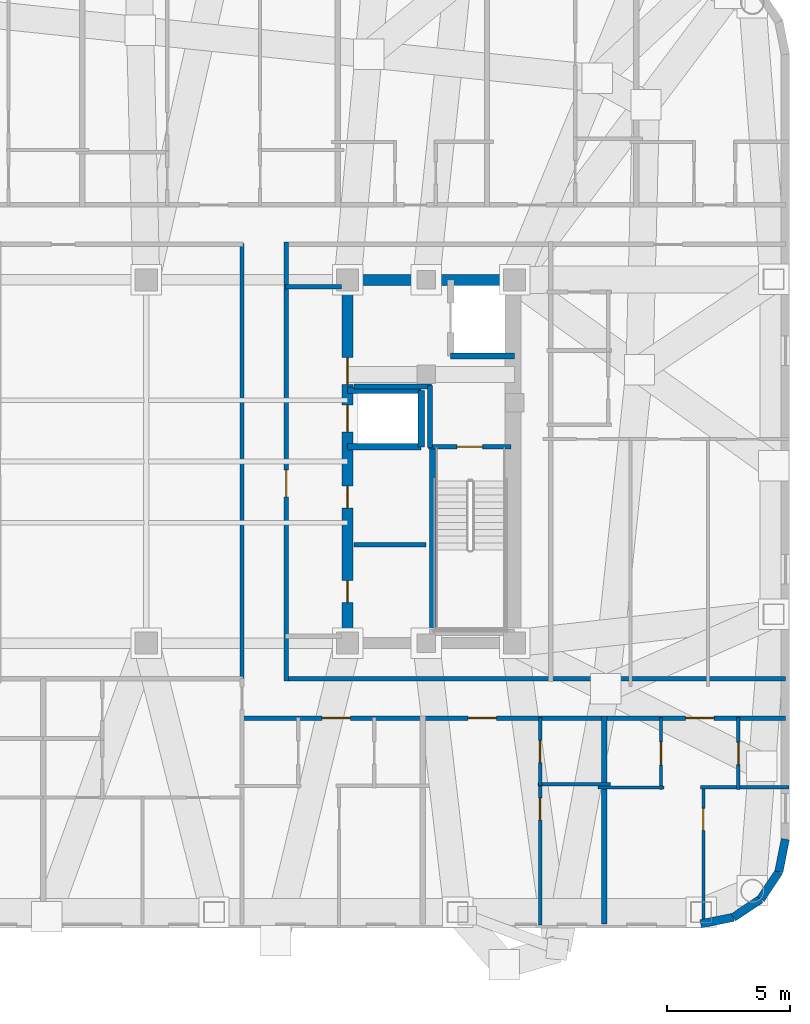
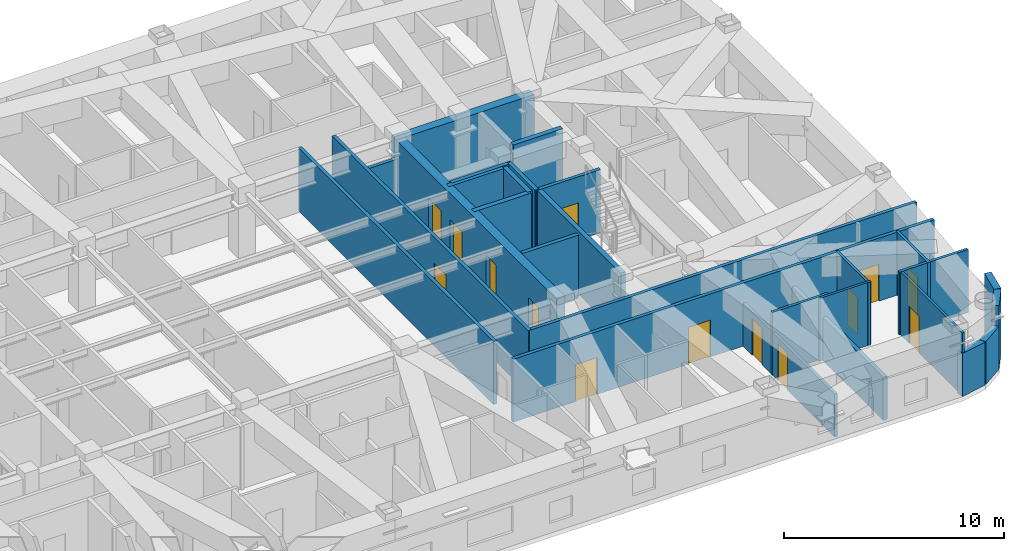
# One storey, part 7 of 12: 29 walls, 14 doors, 14 openings.
"""IFC4 building model written with IfcOpenShell, lengths in metres."""

from ifc_helpers import new_model, si_unit, direction, frame, frame_2d, origin, place, context, subcontext, project, spatial, rectangle, extrude, material, layer, layer_set, type_object, element, fill, save


model = new_model("IFC4")

# Units and contexts
model_context = context("Model", 3, precision=1e-05, world=origin(), true_north=direction((0.0, 1.0)))
body_context = subcontext(model_context, "Body", "Model", "MODEL_VIEW")
ifc_project = project(units=[si_unit("LENGTHUNIT", "METRE"), si_unit("AREAUNIT", "SQUARE_METRE"), si_unit("VOLUMEUNIT", "CUBIC_METRE"), si_unit("PLANEANGLEUNIT", "RADIAN"), si_unit("MASSUNIT", "GRAM", prefix="KILO")], contexts=[model_context])

# Site, building, storey
site_placement = place(None, origin())
site = spatial("IfcSite", under=ifc_project, at=site_placement, CompositionType="ELEMENT")
building_placement = place(site_placement, origin())
building = spatial("IfcBuilding", under=site, at=building_placement, Name="Voryun Gate Residences", CompositionType="ELEMENT")
storey_placement = place(building_placement, frame((0.0, 0.0, 250.89990234375)))
storey = spatial("IfcBuildingStorey", under=building, at=storey_placement, Name="L62", CompositionType="ELEMENT", Elevation=250.89990234375)

# Wall
ifc_material_1 = material(Name="Concrete C50/60", Category="concrete")
ifc_layer_1 = layer(ifc_material_1, 0.449951171875, Name="CW_CORE_450")
ifc_layer_set_1 = layer_set([ifc_layer_1], Name="Concrete C50/60")
wall_type_1 = type_object("IfcWallType", Name="CW_CORE_450", PredefinedType="SHEAR", material=ifc_layer_set_1)
wall_1_placement = place(storey_placement, frame((12.175048828125, 7.39990234375, 0.0), z_axis=(0.0, 0.0, 1.0), x_axis=(1.0, 0.0, 0.0)))
element("IfcWall", 1, at=wall_1_placement, inside=storey, type_object=wall_type_1, Name="L62 Core shear wall CW-L62-EN", PredefinedType="SHEAR", context=body_context, shape_type="SweptSolid", body=[
    extrude(rectangle(XDim=7.25, YDim=0.449951171875, at=frame_2d((3.625, 0.0))), origin(), (0.0, 0.0, 1.0), 3.5),
])

# Wall, openings, doors
wall_2_placement = place(storey_placement, frame((12.39990234375, -7.39990234375, 0.0), z_axis=(0.0, 0.0, 1.0), x_axis=(0.0, 1.0, 0.0)))
wall_2 = element("IfcWall", 2, at=wall_2_placement, inside=storey, type_object=wall_type_1, Name="L62 Core shear wall CW-L62-EW", PredefinedType="SHEAR", context=body_context, shape_type="SweptSolid", body=[
    extrude(rectangle(XDim=14.7998046875, YDim=0.449951171875, at=frame_2d((7.39990234375, 0.0))), origin(), (0.0, 0.0, 1.0), 3.5),
])
opening_1_placement = place(wall_2_placement, frame((8.60009765625, 0.0, 0.0)))
opening_1 = element("IfcOpeningElement", 3, at=opening_1_placement, cuts=wall_2, Name="Opening LD2", PredefinedType="OPENING", context=body_context, shape_type="SweptSolid", body=[
    extrude(rectangle(XDim=1.10009765625, YDim=2.050048828125, at=frame_2d((0.550048828125, 1.02490234375))), frame((0.0, 0.235107421875, 0.0), z_axis=(0.0, -1.0, 0.0), x_axis=(1.0, 0.0, 0.0)), (0.0, 0.0, 1.0), 0.469970703125),
])
opening_2_placement = place(wall_2_placement, frame((10.530029296875, 0.0, 0.0)))
opening_2 = element("IfcOpeningElement", 4, at=opening_2_placement, cuts=wall_2, Name="Opening D-FD60-2", PredefinedType="OPENING", context=body_context, shape_type="SweptSolid", body=[
    extrude(rectangle(XDim=1.10009765625, YDim=2.050048828125, at=frame_2d((0.550048828125, 1.02490234375))), frame((0.0, 0.235107421875, 0.0), z_axis=(0.0, -1.0, 0.0), x_axis=(1.0, 0.0, 0.0)), (0.0, 0.0, 1.0), 0.469970703125),
])
opening_3_placement = place(wall_2_placement, frame((1.64990234375, 0.0, 0.0)))
opening_3 = element("IfcOpeningElement", 5, at=opening_3_placement, cuts=wall_2, Name="Opening D-FD60-4", PredefinedType="OPENING", context=body_context, shape_type="SweptSolid", body=[
    extrude(rectangle(XDim=0.89990234375, YDim=2.050048828125, at=frame_2d((0.449951171875, 1.02490234375))), frame((0.0, 0.235107421875, 0.0), z_axis=(0.0, -1.0, 0.0), x_axis=(1.0, 0.0, 0.0)), (0.0, 0.0, 1.0), 0.469970703125),
])
opening_4_placement = place(wall_2_placement, frame((5.5, 0.0, 0.0)))
opening_4 = element("IfcOpeningElement", 6, at=opening_4_placement, cuts=wall_2, Name="Opening D-FD60-4", PredefinedType="OPENING", context=body_context, shape_type="SweptSolid", body=[
    extrude(rectangle(XDim=0.89990234375, YDim=2.050048828125, at=frame_2d((0.449951171875, 1.02490234375))), frame((0.0, 0.235107421875, 0.0), z_axis=(0.0, -1.0, 0.0), x_axis=(1.0, 0.0, 0.0)), (0.0, 0.0, 1.0), 0.469970703125),
])
ifc_material_2 = material(Name="Painted steel fire door", Category="steel")
door_type_1 = type_object("IfcDoorType", Name="DR_FD60_FFLOB_1100", OperationType="NOTDEFINED", PredefinedType="DOOR", material=ifc_material_2)
door_1_placement = place(opening_2_placement, origin())
door_1 = element("IfcDoor", 7, at=door_1_placement, inside=storey, type_object=door_type_1, Name="Door DR-L62-CLOB-E", OperationType="SINGLE_SWING_RIGHT", OverallHeight=2.050048828125, OverallWidth=1.10009765625, PredefinedType="DOOR", context=body_context, shape_type="SweptSolid", body=[
    extrude(rectangle(XDim=1.10009765625, YDim=2.050048828125, at=frame_2d((0.550048828125, 1.02490234375))), frame((0.0, 0.02490234375, 0.0), z_axis=(0.0, -1.0, 0.0), x_axis=(1.0, 0.0, 0.0)), (0.0, 0.0, 1.0), 0.050048828125),
])
fill(opening_2, door_1)
ifc_material_3 = material(Name="Painted steel fire door", Category="steel")
door_type_2 = type_object("IfcDoorType", Name="DR_FD60_RISER_900", OperationType="NOTDEFINED", PredefinedType="DOOR", material=ifc_material_3)
door_2_placement = place(opening_3_placement, origin())
door_2 = element("IfcDoor", 8, at=door_2_placement, inside=storey, type_object=door_type_2, Name="Door DR-L62-RECE-HIS", OperationType="SINGLE_SWING_RIGHT", OverallHeight=2.050048828125, OverallWidth=0.89990234375, PredefinedType="DOOR", context=body_context, shape_type="SweptSolid", body=[
    extrude(rectangle(XDim=0.89990234375, YDim=2.050048828125, at=frame_2d((0.449951171875, 1.02490234375))), frame((0.0, 0.02490234375, 0.0), z_axis=(0.0, -1.0, 0.0), x_axis=(1.0, 0.0, 0.0)), (0.0, 0.0, 1.0), 0.050048828125),
])
fill(opening_3, door_2)
door_3_placement = place(opening_4_placement, origin())
door_3 = element("IfcDoor", 9, at=door_3_placement, inside=storey, type_object=door_type_2, Name="Door DR-L62-RECE-HIN", OperationType="SINGLE_SWING_LEFT", OverallHeight=2.050048828125, OverallWidth=0.89990234375, PredefinedType="DOOR", context=body_context, shape_type="SweptSolid", body=[
    extrude(rectangle(XDim=0.89990234375, YDim=2.050048828125, at=frame_2d((0.449951171875, 1.02490234375))), frame((0.0, 0.02490234375, 0.0), z_axis=(0.0, -1.0, 0.0), x_axis=(1.0, 0.0, 0.0)), (0.0, 0.0, 1.0), 0.050048828125),
])
fill(opening_4, door_3)
ifc_material_4 = material(Name="Anodised aluminium", Category="aluminium")
door_type_3 = type_object("IfcDoorType", Name="DR_LD_PASS_1100", OperationType="NOTDEFINED", PredefinedType="DOOR", material=ifc_material_4)
door_4_placement = place(opening_1_placement, origin())
door_4 = element("IfcDoor", 10, at=door_4_placement, inside=storey, type_object=door_type_3, Name="Lift EL-P8 sliding landing door L62", OperationType="SLIDING_TO_LEFT", OverallHeight=2.050048828125, OverallWidth=1.10009765625, PredefinedType="DOOR", context=body_context, shape_type="SweptSolid", body=[
    extrude(rectangle(XDim=1.10009765625, YDim=2.050048828125, at=frame_2d((0.550048828125, 1.02490234375))), frame((0.0, 0.02490234375, 0.0), z_axis=(0.0, -1.0, 0.0), x_axis=(1.0, 0.0, 0.0)), (0.0, 0.0, 1.0), 0.050048828125),
])
fill(opening_1, door_4)

# Wall, opening, door
ifc_material_5 = material(Name="Gypsum acoustic fireboard")
ifc_layer_2 = layer(ifc_material_5, 0.179931640625, Name="W_CORR_RATED_180")
ifc_layer_set_2 = layer_set([ifc_layer_2], Name="Gypsum acoustic fireboard")
wall_type_2 = type_object("IfcWallType", Name="W_CORR_RATED_180", PredefinedType="PARTITIONING", material=ifc_layer_set_2)
wall_3_placement = place(storey_placement, frame((15.699951171875, 0.60009765625, 0.0), z_axis=(0.0, 0.0, 1.0), x_axis=(1.0, 0.0, 0.0)))
wall_3 = element("IfcWall", 11, at=wall_3_placement, inside=storey, type_object=wall_type_2, Name="Partition wall WP-L62-STV-E", PredefinedType="PARTITIONING", context=body_context, shape_type="SweptSolid", body=[
    extrude(rectangle(XDim=3.360107421875, YDim=0.179931640625, at=frame_2d((1.68017578125, 0.0))), origin(), (0.0, 0.0, 1.0), 3.5),
])
opening_5_placement = place(wall_3_placement, frame((1.155029296875, 0.0, 0.0)))
opening_5 = element("IfcOpeningElement", 12, at=opening_5_placement, cuts=wall_3, Name="Opening D-FD60-1", PredefinedType="OPENING", context=body_context, shape_type="SweptSolid", body=[
    extrude(rectangle(XDim=1.050048828125, YDim=2.050048828125, at=frame_2d((0.52490234375, 1.02490234375))), frame((0.0, 0.099853515625, 0.0), z_axis=(0.0, -1.0, 0.0), x_axis=(1.0, 0.0, 0.0)), (0.0, 0.0, 1.0), 0.199951171875),
])
ifc_material_6 = material(Name="Painted steel fire door", Category="steel")
door_type_4 = type_object("IfcDoorType", Name="DR_FD60_STAIR_1050", OperationType="NOTDEFINED", PredefinedType="DOOR", material=ifc_material_6)
door_5_placement = place(opening_5_placement, origin())
door_5 = element("IfcDoor", 13, at=door_5_placement, inside=storey, type_object=door_type_4, Name="Door DR-L62-ST-E", OperationType="SINGLE_SWING_RIGHT", OverallHeight=2.050048828125, OverallWidth=1.050048828125, PredefinedType="DOOR", context=body_context, shape_type="SweptSolid", body=[
    extrude(rectangle(XDim=1.050048828125, YDim=2.050048828125, at=frame_2d((0.52490234375, 1.02490234375))), frame((0.0, 0.02490234375, 0.0), z_axis=(0.0, -1.0, 0.0), x_axis=(1.0, 0.0, 0.0)), (0.0, 0.0, 1.0), 0.050048828125),
])
fill(opening_5, door_5)

# Wall
wall_4_placement = place(storey_placement, frame((9.8798828125, 7.1201171875, 0.0), z_axis=(0.0, 0.0, 1.0), x_axis=(1.0, 0.0, 0.0)))
element("IfcWall", 14, at=wall_4_placement, inside=storey, type_object=wall_type_2, Name="Partition wall WP-L62-PLBN-E", PredefinedType="PARTITIONING", context=body_context, shape_type="SweptSolid", body=[
    extrude(rectangle(XDim=2.27001953125, YDim=0.179931640625, at=frame_2d((1.135009765625, 0.0))), origin(), (0.0, 0.0, 1.0), 2.5400390625),
])

# Wall, opening, door
wall_5_placement = place(storey_placement, frame((9.89990234375, -8.929931640625, 0.0), z_axis=(0.0, 0.0, 1.0), x_axis=(0.0, 1.0, 0.0)))
wall_5 = element("IfcWall", 15, at=wall_5_placement, inside=storey, type_object=wall_type_2, Name="Partition wall WP-L62-PLBE-FULL", PredefinedType="PARTITIONING", context=body_context, shape_type="SweptSolid", body=[
    extrude(rectangle(XDim=17.85986328125, YDim=0.179931640625, at=frame_2d((8.929931640625, 0.0))), origin(), (0.0, 0.0, 1.0), 3.5),
])
opening_6_placement = place(wall_5_placement, frame((7.487060546875, 0.0, 0.0)))
opening_6 = element("IfcOpeningElement", 16, at=opening_6_placement, cuts=wall_5, Name="Opening D-FD60-2", PredefinedType="OPENING", context=body_context, shape_type="SweptSolid", body=[
    extrude(rectangle(XDim=1.10009765625, YDim=2.050048828125, at=frame_2d((0.550048828125, 1.02490234375))), frame((0.0, 0.099853515625, 0.0), z_axis=(0.0, -1.0, 0.0), x_axis=(1.0, 0.0, 0.0)), (0.0, 0.0, 1.0), 0.199951171875),
])
door_6_placement = place(opening_6_placement, origin())
door_6 = element("IfcDoor", 17, at=door_6_placement, inside=storey, type_object=door_type_1, Name="Door DR-L62-PLBE-COR", OperationType="SINGLE_SWING_RIGHT", OverallHeight=2.050048828125, OverallWidth=1.10009765625, PredefinedType="DOOR", context=body_context, shape_type="SweptSolid", body=[
    extrude(rectangle(XDim=1.10009765625, YDim=2.050048828125, at=frame_2d((0.550048828125, 1.02490234375))), frame((0.0, 0.02490234375, 0.0), z_axis=(0.0, -1.0, 0.0), x_axis=(1.0, 0.0, 0.0)), (0.0, 0.0, 1.0), 0.050048828125),
])
fill(opening_6, door_6)

# Walls
wall_6_placement = place(storey_placement, frame((9.8798828125, -8.840087890625, 0.0), z_axis=(0.0, 0.0, 1.0), x_axis=(1.0, 0.0, 0.0)))
element("IfcWall", 18, at=wall_6_placement, inside=storey, type_object=wall_type_2, Name="Partition wall WP-L62-CWING-ES", PredefinedType="PARTITIONING", context=body_context, shape_type="SweptSolid", body=[
    extrude(rectangle(XDim=20.35009765625, YDim=0.179931640625, at=frame_2d((10.175048828125, 0.0))), origin(), (0.0, 0.0, 1.0), 3.5),
])
wall_7_placement = place(storey_placement, frame((8.10009765625, -8.8798828125, 0.0), z_axis=(0.0, 0.0, 1.0), x_axis=(0.0, 1.0, 0.0)))
element("IfcWall", 19, at=wall_7_placement, inside=storey, type_object=wall_type_2, Name="Partition wall WP-L62-Z3E", PredefinedType="PARTITIONING", context=body_context, shape_type="SweptSolid", body=[
    extrude(rectangle(XDim=17.759765625, YDim=0.179931640625, at=frame_2d((8.8798828125, 0.0))), origin(), (0.0, 0.0, 1.0), 3.5),
])

# Wall, openings, doors
wall_8_placement = place(storey_placement, frame((8.080078125, -10.449951171875, 0.0), z_axis=(0.0, 0.0, 1.0), x_axis=(1.0, 0.0, 0.0)))
wall_8 = element("IfcWall", 20, at=wall_8_placement, inside=storey, type_object=wall_type_2, Name="Partition wall WP-L62-SCORR-E", PredefinedType="PARTITIONING", context=body_context, shape_type="SweptSolid", body=[
    extrude(rectangle(XDim=22.14990234375, YDim=0.179931640625, at=frame_2d((11.074951171875, 0.0))), origin(), (0.0, 0.0, 1.0), 3.5),
])
opening_7_placement = place(wall_8_placement, frame((3.283447265625, 0.0, 0.0)))
opening_7 = element("IfcOpeningElement", 21, at=opening_7_placement, cuts=wall_8, Name="Opening D-UNIT-1", PredefinedType="OPENING", context=body_context, shape_type="SweptSolid", body=[
    extrude(rectangle(XDim=1.14990234375, YDim=2.050048828125, at=frame_2d((0.574951171875, 1.02490234375))), frame((0.0, 0.099853515625, 0.0), z_axis=(0.0, -1.0, 0.0), x_axis=(1.0, 0.0, 0.0)), (0.0, 0.0, 1.0), 0.199951171875),
])
opening_8_placement = place(wall_8_placement, frame((9.228515625, 0.0, 0.0)))
opening_8 = element("IfcOpeningElement", 22, at=opening_8_placement, cuts=wall_8, Name="Opening D-UNIT-1", PredefinedType="OPENING", context=body_context, shape_type="SweptSolid", body=[
    extrude(rectangle(XDim=1.14990234375, YDim=2.050048828125, at=frame_2d((0.574951171875, 1.02490234375))), frame((0.0, 0.099853515625, 0.0), z_axis=(0.0, -1.0, 0.0), x_axis=(1.0, 0.0, 0.0)), (0.0, 0.0, 1.0), 0.199951171875),
])
opening_9_placement = place(wall_8_placement, frame((18.084228515625, 0.0, 0.0)))
opening_9 = element("IfcOpeningElement", 23, at=opening_9_placement, cuts=wall_8, Name="Opening D-UNIT-1", PredefinedType="OPENING", context=body_context, shape_type="SweptSolid", body=[
    extrude(rectangle(XDim=1.14990234375, YDim=2.050048828125, at=frame_2d((0.574951171875, 1.02490234375))), frame((0.0, 0.099853515625, 0.0), z_axis=(0.0, -1.0, 0.0), x_axis=(1.0, 0.0, 0.0)), (0.0, 0.0, 1.0), 0.199951171875),
])
ifc_material_7 = material(Name="Armoured timber-clad fire door", Category="wood")
door_type_5 = type_object("IfcDoorType", Name="DR_UNIT_ENTRY_1150", OperationType="NOTDEFINED", PredefinedType="DOOR", material=ifc_material_7)
door_7_placement = place(opening_7_placement, origin())
door_7 = element("IfcDoor", 24, at=door_7_placement, inside=storey, type_object=door_type_5, Name="Door DR-L62-SENT-5", OperationType="SINGLE_SWING_RIGHT", OverallHeight=2.050048828125, OverallWidth=1.14990234375, PredefinedType="DOOR", context=body_context, shape_type="SweptSolid", body=[
    extrude(rectangle(XDim=1.14990234375, YDim=2.050048828125, at=frame_2d((0.574951171875, 1.02490234375))), frame((0.0, 0.02490234375, 0.0), z_axis=(0.0, -1.0, 0.0), x_axis=(1.0, 0.0, 0.0)), (0.0, 0.0, 1.0), 0.050048828125),
])
fill(opening_7, door_7)
door_8_placement = place(opening_8_placement, origin())
door_8 = element("IfcDoor", 25, at=door_8_placement, inside=storey, type_object=door_type_5, Name="Door DR-L62-SENT-6", OperationType="SINGLE_SWING_LEFT", OverallHeight=2.050048828125, OverallWidth=1.14990234375, PredefinedType="DOOR", context=body_context, shape_type="SweptSolid", body=[
    extrude(rectangle(XDim=1.14990234375, YDim=2.050048828125, at=frame_2d((0.574951171875, 1.02490234375))), frame((0.0, 0.02490234375, 0.0), z_axis=(0.0, -1.0, 0.0), x_axis=(1.0, 0.0, 0.0)), (0.0, 0.0, 1.0), 0.050048828125),
])
fill(opening_8, door_8)
door_9_placement = place(opening_9_placement, origin())
door_9 = element("IfcDoor", 26, at=door_9_placement, inside=storey, type_object=door_type_5, Name="Door DR-L62-SENT-7", OperationType="SINGLE_SWING_RIGHT", OverallHeight=2.050048828125, OverallWidth=1.14990234375, PredefinedType="DOOR", context=body_context, shape_type="SweptSolid", body=[
    extrude(rectangle(XDim=1.14990234375, YDim=2.050048828125, at=frame_2d((0.574951171875, 1.02490234375))), frame((0.0, 0.02490234375, 0.0), z_axis=(0.0, -1.0, 0.0), x_axis=(1.0, 0.0, 0.0)), (0.0, 0.0, 1.0), 0.050048828125),
])
fill(opening_9, door_9)

# Walls
ifc_material_8 = material(Name="Charcoal terracotta masonry", Category="masonry")
ifc_layer_3 = layer(ifc_material_8, 0.340087890625, Name="W_EXT_TERRACOTTA_340")
ifc_layer_set_3 = layer_set([ifc_layer_3], Name="Charcoal terracotta masonry")
wall_type_3 = type_object("IfcWallType", Name="W_EXT_TERRACOTTA_340", PredefinedType="ELEMENTEDWALL", material=ifc_layer_set_3)
wall_9_placement = place(storey_placement, frame((30.22998046875, -15.38330078125, 0.0), z_axis=(0.0, 0.0, 1.0), x_axis=(-0.195110379894, -0.98078129043, 0.0)))
element("IfcWall", 27, at=wall_9_placement, inside=storey, type_object=wall_type_3, Name="Exterior wall WEXT-L62-17", PredefinedType="ELEMENTEDWALL", context=body_context, shape_type="SweptSolid", body=[
    extrude(rectangle(XDim=1.35400390625, YDim=0.340087890625, at=frame_2d((0.677001953125, 0.0))), origin(), (0.0, 0.0, 1.0), 3.5),
])
wall_10_placement = place(storey_placement, frame((29.9658203125, -16.711181640625, 0.0), z_axis=(0.0, 0.0, 1.0), x_axis=(-0.555584683399, -0.831459956686, 0.0)))
element("IfcWall", 28, at=wall_10_placement, inside=storey, type_object=wall_type_3, Name="Exterior wall WEXT-L62-18", PredefinedType="ELEMENTEDWALL", context=body_context, shape_type="SweptSolid", body=[
    extrude(rectangle(XDim=1.337158203125, YDim=0.340087890625, at=frame_2d((0.66845703125, 0.0))), origin(), (0.0, 0.0, 1.0), 3.5),
])
wall_11_placement = place(storey_placement, frame((29.222900390625, -17.822998046875, 0.0), z_axis=(0.0, 0.0, 1.0), x_axis=(-0.831403586725, -0.555669034571, 0.0)))
element("IfcWall", 29, at=wall_11_placement, inside=storey, type_object=wall_type_3, Name="Exterior wall WEXT-L62-19", PredefinedType="ELEMENTEDWALL", context=body_context, shape_type="SweptSolid", body=[
    extrude(rectangle(XDim=1.3369140625, YDim=0.340087890625, at=frame_2d((0.66845703125, 0.0))), origin(), (0.0, 0.0, 1.0), 2.39013671875),
])
wall_12_placement = place(storey_placement, frame((28.111328125, -18.56591796875, 0.0), z_axis=(0.0, 0.0, 1.0), x_axis=(-0.980788153188, -0.195075878998, 0.0)))
element("IfcWall", 30, at=wall_12_placement, inside=storey, type_object=wall_type_3, Name="Exterior wall WEXT-L62-20", PredefinedType="ELEMENTEDWALL", context=body_context, shape_type="SweptSolid", body=[
    extrude(rectangle(XDim=1.354248046875, YDim=0.340087890625, at=frame_2d((0.67724609375, 0.0))), origin(), (0.0, 0.0, 1.0), 2.39013671875),
])
ifc_material_9 = material(Name="Concrete C40/50", Category="concrete")
ifc_layer_4 = layer(ifc_material_9, 0.199951171875, Name="W_FF_LOBBY_200")
ifc_layer_set_4 = layer_set([ifc_layer_4], Name="Concrete C40/50")
wall_type_4 = type_object("IfcWallType", Name="W_FF_LOBBY_200", PredefinedType="PARTITIONING", material=ifc_layer_set_4)
wall_13_placement = place(storey_placement, frame((15.760009765625, 0.580078125, 0.0), z_axis=(0.0, 0.0, 1.0), x_axis=(0.0, 1.0, 0.0)))
element("IfcWall", 31, at=wall_13_placement, inside=storey, type_object=wall_type_4, Name="Partition wall WP-L62-FFP0-E", PredefinedType="PARTITIONING", context=body_context, shape_type="SweptSolid", body=[
    extrude(rectangle(XDim=2.52001953125, YDim=0.199951171875, at=frame_2d((1.260009765625, 0.0))), origin(), (0.0, 0.0, 1.0), 3.5),
])
wall_14_placement = place(storey_placement, frame((12.659912109375, 3.06005859375, 0.0), z_axis=(0.0, 0.0, 1.0), x_axis=(1.0, 0.0, 0.0)))
element("IfcWall", 32, at=wall_14_placement, inside=storey, type_object=wall_type_4, Name="Partition wall WP-L62-FFPS-E", PredefinedType="PARTITIONING", context=body_context, shape_type="SweptSolid", body=[
    extrude(rectangle(XDim=3.16015625, YDim=0.199951171875, at=frame_2d((1.580078125, 0.0))), origin(), (0.0, 0.0, 1.0), 3.5),
])
wall_15_placement = place(storey_placement, frame((12.659912109375, -3.389892578125, 0.0), z_axis=(0.0, 0.0, 1.0), x_axis=(1.0, 0.0, 0.0)))
element("IfcWall", 33, at=wall_15_placement, inside=storey, type_object=wall_type_4, Name="Partition wall WP-L62-RECEY-HI", PredefinedType="PARTITIONING", context=body_context, shape_type="SweptSolid", body=[
    extrude(rectangle(XDim=2.940185546875, YDim=0.199951171875, at=frame_2d((1.47021484375, 0.0))), origin(), (0.0, 0.0, 1.0), 3.5),
])
ifc_material_10 = material(Name="Concrete C40/50", Category="concrete")
ifc_layer_5 = layer(ifc_material_10, 0.219970703125, Name="W_PARTY_ACOUSTIC_220")
ifc_layer_set_5 = layer_set([ifc_layer_5], Name="Concrete C40/50")
wall_type_5 = type_object("IfcWallType", Name="W_PARTY_ACOUSTIC_220", PredefinedType="PARTITIONING", material=ifc_layer_set_5)
wall_16_placement = place(storey_placement, frame((22.85107421875, -18.830078125, 0.0), z_axis=(0.0, 0.0, 1.0), x_axis=(0.0, 1.0, 0.0)))
element("IfcWall", 34, at=wall_16_placement, inside=storey, type_object=wall_type_5, Name="Partition wall WP-L62-SPTY-6", PredefinedType="PARTITIONING", context=body_context, shape_type="SweptSolid", body=[
    extrude(rectangle(XDim=8.4599609375, YDim=0.219970703125, at=frame_2d((4.22998046875, 0.0))), origin(), (0.0, 0.0, 1.0), 2.39013671875),
])
ifc_material_11 = material(Name="Concrete C50/60", Category="concrete")
ifc_layer_6 = layer(ifc_material_11, 0.25, Name="W_SHAFT_RC250")
ifc_layer_set_6 = layer_set([ifc_layer_6], Name="Concrete C50/60")
wall_type_6 = type_object("IfcWallType", Name="W_SHAFT_RC250", PredefinedType="SOLIDWALL", material=ifc_layer_set_6)
wall_17_placement = place(storey_placement, frame((15.860107421875, -7.0849609375, 0.0), z_axis=(0.0, 0.0, 1.0), x_axis=(0.0, 1.0, 0.0)))
element("IfcWall", 35, at=wall_17_placement, inside=storey, type_object=wall_type_6, Name="L62 Stair shaft structural wall E-STL", PredefinedType="SOLIDWALL", context=body_context, shape_type="SweptSolid", body=[
    extrude(rectangle(XDim=7.68505859375, YDim=0.25, at=frame_2d((3.842529296875, 0.0))), origin(), (0.0, 0.0, 1.0), 3.5),
])
wall_18_placement = place(storey_placement, frame((16.60009765625, 4.300048828125, 0.0), z_axis=(0.0, 0.0, 1.0), x_axis=(1.0, 0.0, 0.0)))
element("IfcWall", 36, at=wall_18_placement, inside=storey, type_object=wall_type_6, Name="Lift shaft wall WSH-L62-EL-FF-E1-S", PredefinedType="SOLIDWALL", context=body_context, shape_type="SweptSolid", body=[
    extrude(rectangle(XDim=2.599853515625, YDim=0.25, at=frame_2d((1.2998046875, 0.0))), origin(), (0.0, 0.0, 1.0), 3.5),
])
wall_19_placement = place(storey_placement, frame((12.39990234375, 0.60009765625, 0.0), z_axis=(0.0, 0.0, 1.0), x_axis=(1.0, 0.0, 0.0)))
element("IfcWall", 37, at=wall_19_placement, inside=storey, type_object=wall_type_6, Name="Lift shaft wall WSH-L62-EL-P8-S", PredefinedType="SOLIDWALL", context=body_context, shape_type="SweptSolid", body=[
    extrude(rectangle(XDim=3.0, YDim=0.25, at=frame_2d((1.5, 0.0))), origin(), (0.0, 0.0, 1.0), 3.5),
])
wall_20_placement = place(storey_placement, frame((15.39990234375, 0.60009765625, 0.0), z_axis=(0.0, 0.0, 1.0), x_axis=(0.0, 1.0, 0.0)))
element("IfcWall", 38, at=wall_20_placement, inside=storey, type_object=wall_type_6, Name="Lift shaft wall WSH-L62-EL-P8-E", PredefinedType="SOLIDWALL", context=body_context, shape_type="SweptSolid", body=[
    extrude(rectangle(XDim=2.2998046875, YDim=0.25, at=frame_2d((1.14990234375, 0.0))), origin(), (0.0, 0.0, 1.0), 3.5),
])
wall_21_placement = place(storey_placement, frame((15.39990234375, 2.89990234375, 0.0), z_axis=(0.0, 0.0, 1.0), x_axis=(-1.0, 0.0, 0.0)))
element("IfcWall", 39, at=wall_21_placement, inside=storey, type_object=wall_type_6, Name="Lift shaft wall WSH-L62-EL-P8-N", PredefinedType="SOLIDWALL", context=body_context, shape_type="SweptSolid", body=[
    extrude(rectangle(XDim=3.0, YDim=0.25, at=frame_2d((1.5, 0.0))), origin(), (0.0, 0.0, 1.0), 3.5),
])

# Wall, opening, door
ifc_material_12 = material(Name="Gypsum acoustic partition")
ifc_layer_7 = layer(ifc_material_12, 0.125, Name="W_UNIT_PART_125")
ifc_layer_set_7 = layer_set([ifc_layer_7], Name="Gypsum acoustic partition")
wall_type_7 = type_object("IfcWallType", Name="W_UNIT_PART_125", PredefinedType="PARTITIONING", material=ifc_layer_set_7)
wall_22_placement = place(storey_placement, frame((26.886962890625, -18.96240234375, 0.0), z_axis=(0.0, 0.0, 1.0), x_axis=(0.0, 1.0, 0.0)))
wall_22 = element("IfcWall", 40, at=wall_22_placement, inside=storey, type_object=wall_type_7, Name="Partition wall WP-L62-S7-OVR", PredefinedType="PARTITIONING", context=body_context, shape_type="SweptSolid", body=[
    extrude(rectangle(XDim=5.769287109375, YDim=0.125, at=frame_2d((2.884765625, 0.0))), origin(), (0.0, 0.0, 1.0), 3.5),
])
opening_10_placement = place(wall_22_placement, frame((3.934814453125, 0.0, 0.0)))
opening_10 = element("IfcOpeningElement", 41, at=opening_10_placement, cuts=wall_22, Name="Opening D-INT-2", PredefinedType="OPENING", context=body_context, shape_type="SweptSolid", body=[
    extrude(rectangle(XDim=0.89990234375, YDim=2.050048828125, at=frame_2d((0.449951171875, 1.02490234375))), frame((0.0, 0.072509765625, 0.0), z_axis=(0.0, -1.0, 0.0), x_axis=(1.0, 0.0, 0.0)), (0.0, 0.0, 1.0), 0.14501953125),
])
ifc_material_13 = material(Name="Architectural oak veneer")
door_type_6 = type_object("IfcDoorType", Name="DR_INT_BATH_900", OperationType="NOTDEFINED", PredefinedType="DOOR", material=ifc_material_13)
door_10_placement = place(opening_10_placement, origin())
door_10 = element("IfcDoor", 42, at=door_10_placement, inside=storey, type_object=door_type_6, Name="Door DR-L62-S7-DMB", OperationType="SINGLE_SWING_RIGHT", OverallHeight=2.050048828125, OverallWidth=0.89990234375, PredefinedType="DOOR", context=body_context, shape_type="SweptSolid", body=[
    extrude(rectangle(XDim=0.89990234375, YDim=2.050048828125, at=frame_2d((0.449951171875, 1.02490234375))), frame((0.0, 0.02490234375, 0.0), z_axis=(0.0, -1.0, 0.0), x_axis=(1.0, 0.0, 0.0)), (0.0, 0.0, 1.0), 0.050048828125),
])
fill(opening_10, door_10)

wall_23_placement = place(storey_placement, frame((25.160888671875, -13.35302734375, 0.0), z_axis=(0.0, 0.0, 1.0), x_axis=(0.0, 1.0, 0.0)))
wall_23 = element("IfcWall", 43, at=wall_23_placement, inside=storey, type_object=wall_type_7, Name="Partition wall WP-L62-S7-IVK", PredefinedType="PARTITIONING", context=body_context, shape_type="SweptSolid", body=[
    extrude(rectangle(XDim=2.923095703125, YDim=0.125, at=frame_2d((1.46142578125, 0.0))), origin(), (0.0, 0.0, 1.0), 3.5),
])
opening_11_placement = place(wall_23_placement, frame((0.986572265625, 0.0, 0.0)))
opening_11 = element("IfcOpeningElement", 44, at=opening_11_placement, cuts=wall_23, Name="Opening D-INT-1", PredefinedType="OPENING", context=body_context, shape_type="SweptSolid", body=[
    extrude(rectangle(XDim=0.949951171875, YDim=2.050048828125, at=frame_2d((0.47509765625, 1.02490234375))), frame((0.0, 0.072509765625, 0.0), z_axis=(0.0, -1.0, 0.0), x_axis=(1.0, 0.0, 0.0)), (0.0, 0.0, 1.0), 0.14501953125),
])
ifc_material_14 = material(Name="Architectural oak veneer")
door_type_7 = type_object("IfcDoorType", Name="DR_INT_ROOM_950", OperationType="NOTDEFINED", PredefinedType="DOOR", material=ifc_material_14)
door_11_placement = place(opening_11_placement, origin())
door_11 = element("IfcDoor", 45, at=door_11_placement, inside=storey, type_object=door_type_7, Name="Door DR-L62-S7-DK", OperationType="SINGLE_SWING_LEFT", OverallHeight=2.050048828125, OverallWidth=0.949951171875, PredefinedType="DOOR", context=body_context, shape_type="SweptSolid", body=[
    extrude(rectangle(XDim=0.949951171875, YDim=2.050048828125, at=frame_2d((0.47509765625, 1.02490234375))), frame((0.0, 0.02490234375, 0.0), z_axis=(0.0, -1.0, 0.0), x_axis=(1.0, 0.0, 0.0)), (0.0, 0.0, 1.0), 0.050048828125),
])
fill(opening_11, door_11)

# Walls
wall_24_placement = place(storey_placement, frame((22.591064453125, -13.27294921875, 0.0), z_axis=(0.0, 0.0, 1.0), x_axis=(1.0, 0.0, 0.0)))
element("IfcWall", 46, at=wall_24_placement, inside=storey, type_object=wall_type_7, Name="Partition wall WP-L62-S7-HZK", PredefinedType="PARTITIONING", context=body_context, shape_type="SweptSolid", body=[
    extrude(rectangle(XDim=2.68994140625, YDim=0.125, at=frame_2d((1.344970703125, 0.0))), origin(), (0.0, 0.0, 1.0), 3.5),
])
ifc_material_15 = material(Name="Gypsum moisture-resistant partition")
ifc_layer_8 = layer(ifc_material_15, 0.14990234375, Name="W_WET_PLUMB_150")
ifc_layer_set_8 = layer_set([ifc_layer_8], Name="Gypsum moisture-resistant partition")
wall_type_8 = type_object("IfcWallType", Name="W_WET_PLUMB_150", PredefinedType="PLUMBINGWALL", material=ifc_layer_set_8)
wall_25_placement = place(storey_placement, frame((20.160888671875, -13.14990234375, 0.0), z_axis=(0.0, 0.0, 1.0), x_axis=(1.0, 0.0, 0.0)))
element("IfcWall", 47, at=wall_25_placement, inside=storey, type_object=wall_type_8, Name="Partition wall WP-L62-S6-SKB", PredefinedType="PLUMBINGWALL", context=body_context, shape_type="SweptSolid", body=[
    extrude(rectangle(XDim=2.9501953125, YDim=0.14990234375, at=frame_2d((1.47509765625, 0.0))), origin(), (0.0, 0.0, 1.0), 3.5),
])

# Wall, opening, door
wall_26_placement = place(storey_placement, frame((20.240966796875, -18.876708984375, 0.0), z_axis=(0.0, 0.0, 1.0), x_axis=(0.0, 1.0, 0.0)))
wall_26 = element("IfcWall", 48, at=wall_26_placement, inside=storey, type_object=wall_type_8, Name="Partition wall WP-L62-S6-SVT1", PredefinedType="PLUMBINGWALL", context=body_context, shape_type="SweptSolid", body=[
    extrude(rectangle(XDim=5.7666015625, YDim=0.14990234375, at=frame_2d((2.88330078125, 0.0))), origin(), (0.0, 0.0, 1.0), 2.39013671875),
])
opening_12_placement = place(wall_26_placement, frame((4.27880859375, 0.0, 0.0)))
opening_12 = element("IfcOpeningElement", 49, at=opening_12_placement, cuts=wall_26, Name="Opening D-INT-2", PredefinedType="OPENING", context=body_context, shape_type="SweptSolid", body=[
    extrude(rectangle(XDim=0.89990234375, YDim=2.050048828125, at=frame_2d((0.449951171875, 1.02490234375))), frame((0.0, 0.0849609375, 0.0), z_axis=(0.0, -1.0, 0.0), x_axis=(1.0, 0.0, 0.0)), (0.0, 0.0, 1.0), 0.169921875),
])
door_12_placement = place(opening_12_placement, origin())
door_12 = element("IfcDoor", 50, at=door_12_placement, inside=storey, type_object=door_type_6, Name="Door DR-L62-S6-DK", OperationType="SINGLE_SWING_LEFT", OverallHeight=2.050048828125, OverallWidth=0.89990234375, PredefinedType="DOOR", context=body_context, shape_type="SweptSolid", body=[
    extrude(rectangle(XDim=0.89990234375, YDim=2.050048828125, at=frame_2d((0.449951171875, 1.02490234375))), frame((0.0, 0.02490234375, 0.0), z_axis=(0.0, -1.0, 0.0), x_axis=(1.0, 0.0, 0.0)), (0.0, 0.0, 1.0), 0.050048828125),
])
fill(opening_12, door_12)

wall_27_placement = place(storey_placement, frame((20.240966796875, -13.18994140625, 0.0), z_axis=(0.0, 0.0, 1.0), x_axis=(0.0, 1.0, 0.0)))
wall_27 = element("IfcWall", 51, at=wall_27_placement, inside=storey, type_object=wall_type_8, Name="Partition wall WP-L62-S6-SVT2", PredefinedType="PLUMBINGWALL", context=body_context, shape_type="SweptSolid", body=[
    extrude(rectangle(XDim=2.760009765625, YDim=0.14990234375, at=frame_2d((1.3798828125, 0.0))), origin(), (0.0, 0.0, 1.0), 2.39013671875),
])
opening_13_placement = place(wall_27_placement, frame((0.929931640625, 0.0, 0.0)))
opening_13 = element("IfcOpeningElement", 52, at=opening_13_placement, cuts=wall_27, Name="Opening D-INT-2", PredefinedType="OPENING", context=body_context, shape_type="SweptSolid", body=[
    extrude(rectangle(XDim=0.89990234375, YDim=2.050048828125, at=frame_2d((0.449951171875, 1.02490234375))), frame((0.0, 0.0849609375, 0.0), z_axis=(0.0, -1.0, 0.0), x_axis=(1.0, 0.0, 0.0)), (0.0, 0.0, 1.0), 0.169921875),
])
door_13_placement = place(opening_13_placement, origin())
door_13 = element("IfcDoor", 53, at=door_13_placement, inside=storey, type_object=door_type_6, Name="Door DR-L62-S6-DB", OperationType="SINGLE_SWING_RIGHT", OverallHeight=2.050048828125, OverallWidth=0.89990234375, PredefinedType="DOOR", context=body_context, shape_type="SweptSolid", body=[
    extrude(rectangle(XDim=0.89990234375, YDim=2.050048828125, at=frame_2d((0.449951171875, 1.02490234375))), frame((0.0, 0.02490234375, 0.0), z_axis=(0.0, -1.0, 0.0), x_axis=(1.0, 0.0, 0.0)), (0.0, 0.0, 1.0), 0.050048828125),
])
fill(opening_13, door_13)

# Wall
wall_28_placement = place(storey_placement, frame((26.76708984375, -13.27294921875, 0.0), z_axis=(0.0, 0.0, 1.0), x_axis=(1.0, 0.0, 0.0)))
element("IfcWall", 54, at=wall_28_placement, inside=storey, type_object=wall_type_8, Name="Partition wall WP-L62-S7-HZB", PredefinedType="PLUMBINGWALL", context=body_context, shape_type="SweptSolid", body=[
    extrude(rectangle(XDim=3.61279296875, YDim=0.14990234375, at=frame_2d((1.806396484375, 0.0))), origin(), (0.0, 0.0, 1.0), 3.5),
])

# Wall, opening, door
wall_29_placement = place(storey_placement, frame((28.31689453125, -13.35302734375, 0.0), z_axis=(0.0, 0.0, 1.0), x_axis=(0.0, 1.0, 0.0)))
wall_29 = element("IfcWall", 55, at=wall_29_placement, inside=storey, type_object=wall_type_8, Name="Partition wall WP-L62-S7-IVB", PredefinedType="PLUMBINGWALL", context=body_context, shape_type="SweptSolid", body=[
    extrude(rectangle(XDim=2.923095703125, YDim=0.14990234375, at=frame_2d((1.46142578125, 0.0))), origin(), (0.0, 0.0, 1.0), 3.5),
])
opening_14_placement = place(wall_29_placement, frame((1.011474609375, 0.0, 0.0)))
opening_14 = element("IfcOpeningElement", 56, at=opening_14_placement, cuts=wall_29, Name="Opening D-INT-2", PredefinedType="OPENING", context=body_context, shape_type="SweptSolid", body=[
    extrude(rectangle(XDim=0.89990234375, YDim=2.050048828125, at=frame_2d((0.449951171875, 1.02490234375))), frame((0.0, 0.0849609375, 0.0), z_axis=(0.0, -1.0, 0.0), x_axis=(1.0, 0.0, 0.0)), (0.0, 0.0, 1.0), 0.169921875),
])
door_14_placement = place(opening_14_placement, origin())
door_14 = element("IfcDoor", 57, at=door_14_placement, inside=storey, type_object=door_type_6, Name="Door DR-L62-S7-DB", OperationType="SINGLE_SWING_RIGHT", OverallHeight=2.050048828125, OverallWidth=0.89990234375, PredefinedType="DOOR", context=body_context, shape_type="SweptSolid", body=[
    extrude(rectangle(XDim=0.89990234375, YDim=2.050048828125, at=frame_2d((0.449951171875, 1.02490234375))), frame((0.0, 0.02490234375, 0.0), z_axis=(0.0, -1.0, 0.0), x_axis=(1.0, 0.0, 0.0)), (0.0, 0.0, 1.0), 0.050048828125),
])
fill(opening_14, door_14)

save(model, "model.ifc")
